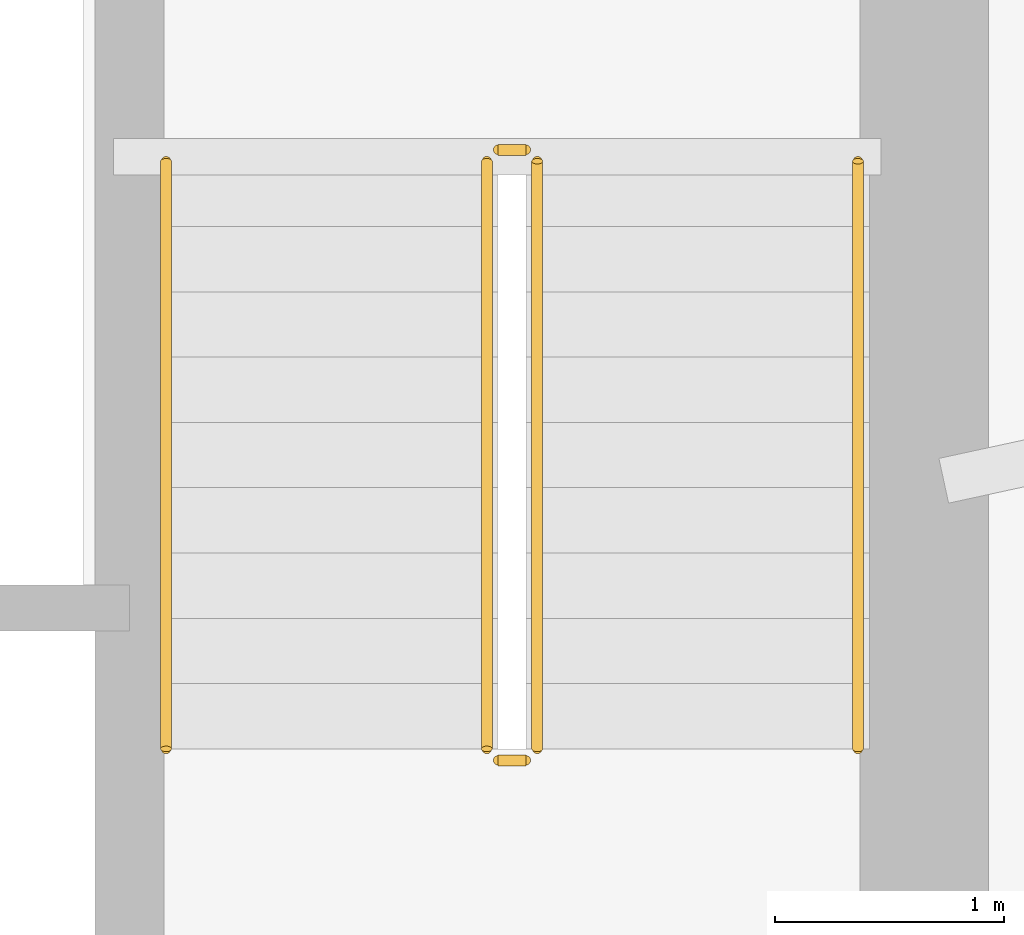
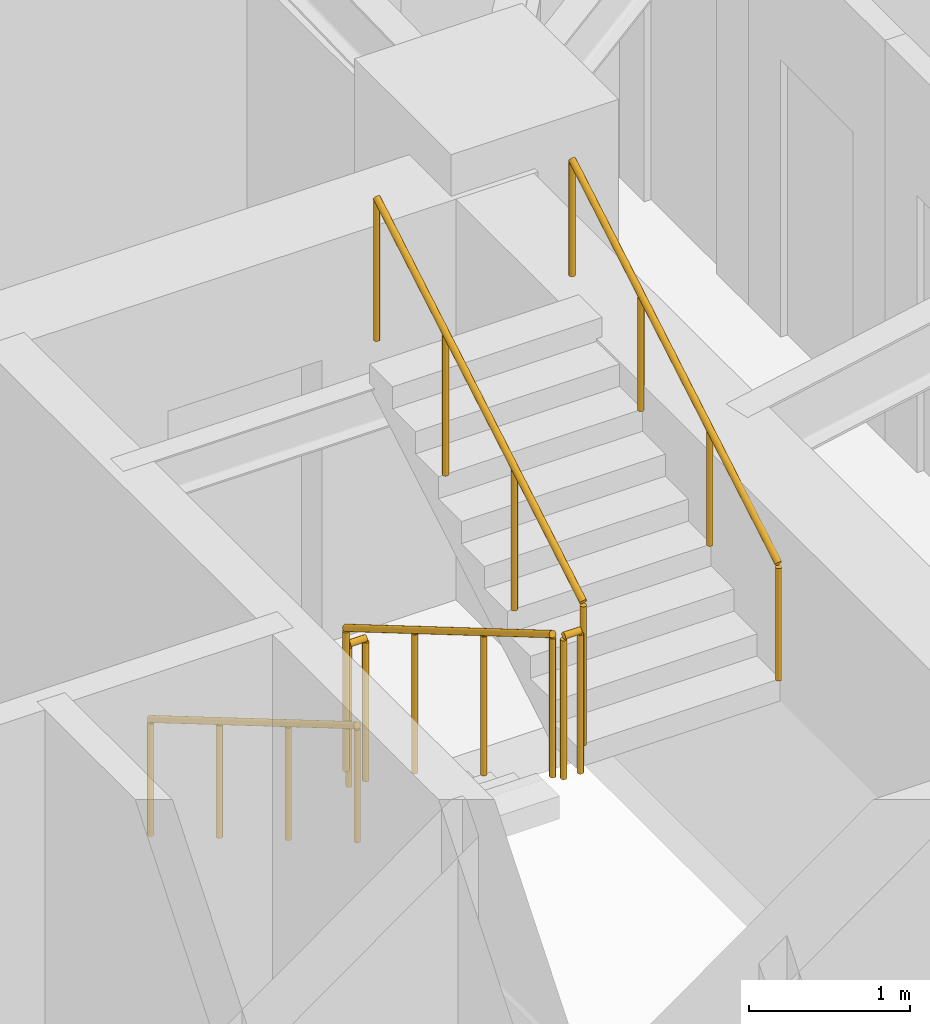
# One storey, part 20 of 21: 6 railings.
"""IFC4 building model written with IfcOpenShell, lengths in metres."""

from ifc_helpers import new_model, si_unit, direction, frame, origin, origin_2d, place, context, subcontext, project, spatial, circle, extrude, material, type_object, element, save


model = new_model("IFC4")

# Units and contexts
model_context = context("Model", 3, precision=1e-05, world=origin(), true_north=direction((0.0, 1.0)))
body_context = subcontext(model_context, "Body", "Model", "MODEL_VIEW")
ifc_project = project(units=[si_unit("LENGTHUNIT", "METRE"), si_unit("AREAUNIT", "SQUARE_METRE"), si_unit("VOLUMEUNIT", "CUBIC_METRE"), si_unit("PLANEANGLEUNIT", "RADIAN"), si_unit("MASSUNIT", "GRAM", prefix="KILO")], contexts=[model_context])

# Site, building, storey
site_placement = place(None, origin())
site = spatial("IfcSite", under=ifc_project, at=site_placement, CompositionType="ELEMENT")
building_placement = place(site_placement, origin())
building = spatial("IfcBuilding", under=site, at=building_placement, Name="Qobustan Lattice House", CompositionType="ELEMENT")
storey_placement = place(building_placement, frame((0.0, 0.0, 27.0)))
storey = spatial("IfcBuildingStorey", under=building, at=storey_placement, Name="L06", CompositionType="ELEMENT", Elevation=27.0)

# Railings
ifc_material_1 = material(Name="Brushed stainless steel handrail", Category="steel")
railing_type_1 = type_object("IfcRailingType", Name="RAL-HR-920", PredefinedType="HANDRAIL", material=ifc_material_1)
railing_1_placement = place(storey_placement, frame((15.179931640625, 3.5, 0.16748046875)))
element("IfcRailing", 1, at=railing_1_placement, inside=storey, type_object=railing_type_1, Name="L06 ST-E1 stair handrail 1", PredefinedType="HANDRAIL", context=body_context, shape_type="SweptSolid", body=[
    extrude(circle(Radius=0.02392578125, at=origin_2d()), frame((0.0, 0.0, 0.8759765625), z_axis=(0.0, -0.862113467892, 0.50671527358), x_axis=(1.0, 0.0, 0.0)), (0.0, 0.0, 1.0), 2.97509765625),
    extrude(circle(Radius=0.02099609375, at=origin_2d()), origin(), (0.0, 0.0, 1.0), 0.851806640625),
    extrude(circle(Radius=0.02099609375, at=origin_2d()), frame((0.0, -0.85498046875, 0.50244140625)), (0.0, 0.0, 1.0), 0.851806640625),
    extrude(circle(Radius=0.02099609375, at=origin_2d()), frame((0.0, -1.7099609375, 1.005126953125)), (0.0, 0.0, 1.0), 0.851806640625),
    extrude(circle(Radius=0.02099609375, at=origin_2d()), frame((0.0, -2.56494140625, 1.507568359375)), (0.0, 0.0, 1.0), 0.851806640625),
])
railing_2_placement = place(storey_placement, frame((18.199951171875, 0.93505859375, 1.842529296875)))
element("IfcRailing", 2, at=railing_2_placement, inside=storey, type_object=railing_type_1, Name="L06 ST-E1 stair handrail 2", PredefinedType="HANDRAIL", context=body_context, shape_type="SweptSolid", body=[
    extrude(circle(Radius=0.02392578125, at=origin_2d()), frame((0.0, 0.0, 0.8759765625), z_axis=(0.0, 0.862113467892, 0.50671527358), x_axis=(-1.0, 0.0, 0.0)), (0.0, 0.0, 1.0), 2.97509765625),
    extrude(circle(Radius=0.02099609375, at=origin_2d()), origin(), (0.0, 0.0, 1.0), 0.851806640625),
    extrude(circle(Radius=0.02099609375, at=origin_2d()), frame((0.0, 0.85498046875, 0.50244140625)), (0.0, 0.0, 1.0), 0.851806640625),
    extrude(circle(Radius=0.02099609375, at=origin_2d()), frame((0.0, 1.7099609375, 1.005126953125)), (0.0, 0.0, 1.0), 0.851806640625),
    extrude(circle(Radius=0.02099609375, at=origin_2d()), frame((0.0, 2.56494140625, 1.507568359375)), (0.0, 0.0, 1.0), 0.851806640625),
])
ifc_material_2 = material(Name="Painted galvanized steel guardrail", Category="steel")
railing_type_2 = type_object("IfcRailingType", Name="RAL-STG-1150", PredefinedType="GUARDRAIL", material=ifc_material_2)
railing_3_placement = place(storey_placement, frame((16.580078125, 3.5, 0.16748046875)))
element("IfcRailing", 3, at=railing_3_placement, inside=storey, type_object=railing_type_2, Name="L06 ST-E1 stair guard 1", PredefinedType="GUARDRAIL", context=body_context, shape_type="SweptSolid", body=[
    extrude(circle(Radius=0.02392578125, at=origin_2d()), frame((0.0, 0.0, 1.076171875), z_axis=(0.0, -0.862113467892, 0.50671527358), x_axis=(1.0, 0.0, 0.0)), (0.0, 0.0, 1.0), 2.97509765625),
    extrude(circle(Radius=0.02099609375, at=origin_2d()), origin(), (0.0, 0.0, 1.0), 1.052001953125),
    extrude(circle(Radius=0.02099609375, at=origin_2d()), frame((0.0, -0.85498046875, 0.50244140625)), (0.0, 0.0, 1.0), 1.052001953125),
    extrude(circle(Radius=0.02099609375, at=origin_2d()), frame((0.0, -1.7099609375, 1.005126953125)), (0.0, 0.0, 1.0), 1.052001953125),
    extrude(circle(Radius=0.02099609375, at=origin_2d()), frame((0.0, -2.56494140625, 1.507568359375)), (0.0, 0.0, 1.0), 1.052001953125),
])
railing_4_placement = place(storey_placement, frame((16.6298828125, 0.885009765625, 1.675048828125)))
element("IfcRailing", 4, at=railing_4_placement, inside=storey, type_object=railing_type_2, Name="L06 ST-E1 stair guard 2", PredefinedType="GUARDRAIL", context=body_context, shape_type="SweptSolid", body=[
    extrude(circle(Radius=0.02392578125, at=origin_2d()), frame((0.0, 0.0, 1.076171875), z_axis=(1.0, 0.0, 0.0), x_axis=(0.0, 1.0, 0.0)), (0.0, 0.0, 1.0), 0.1201171875),
    extrude(circle(Radius=0.02099609375, at=origin_2d()), origin(), (0.0, 0.0, 1.0), 1.052001953125),
    extrude(circle(Radius=0.02099609375, at=origin_2d()), frame((0.1201171875, 0.0, 0.0)), (0.0, 0.0, 1.0), 1.052001953125),
])
railing_5_placement = place(storey_placement, frame((16.800048828125, 0.93505859375, 1.842529296875)))
element("IfcRailing", 5, at=railing_5_placement, inside=storey, type_object=railing_type_2, Name="L06 ST-E1 stair guard 3", PredefinedType="GUARDRAIL", context=body_context, shape_type="SweptSolid", body=[
    extrude(circle(Radius=0.02392578125, at=origin_2d()), frame((0.0, 0.0, 1.076171875), z_axis=(0.0, 0.862113467892, 0.50671527358), x_axis=(-1.0, 0.0, 0.0)), (0.0, 0.0, 1.0), 2.97509765625),
    extrude(circle(Radius=0.02099609375, at=origin_2d()), origin(), (0.0, 0.0, 1.0), 1.052001953125),
    extrude(circle(Radius=0.02099609375, at=origin_2d()), frame((0.0, 0.85498046875, 0.50244140625)), (0.0, 0.0, 1.0), 1.052001953125),
    extrude(circle(Radius=0.02099609375, at=origin_2d()), frame((0.0, 1.7099609375, 1.005126953125)), (0.0, 0.0, 1.0), 1.052001953125),
    extrude(circle(Radius=0.02099609375, at=origin_2d()), frame((0.0, 2.56494140625, 1.507568359375)), (0.0, 0.0, 1.0), 1.052001953125),
])
railing_6_placement = place(storey_placement, frame((16.6298828125, 3.550048828125, 0.0)))
element("IfcRailing", 6, at=railing_6_placement, inside=storey, type_object=railing_type_2, Name="L06 ST-E1 stair guard 4", PredefinedType="GUARDRAIL", context=body_context, shape_type="SweptSolid", body=[
    extrude(circle(Radius=0.02392578125, at=origin_2d()), frame((0.0, 0.0, 1.076171875), z_axis=(1.0, 0.0, 0.0), x_axis=(0.0, 1.0, 0.0)), (0.0, 0.0, 1.0), 0.1201171875),
    extrude(circle(Radius=0.02099609375, at=origin_2d()), origin(), (0.0, 0.0, 1.0), 1.052001953125),
    extrude(circle(Radius=0.02099609375, at=origin_2d()), frame((0.1201171875, 0.0, 0.0)), (0.0, 0.0, 1.0), 1.052001953125),
])

save(model, "model.ifc")
